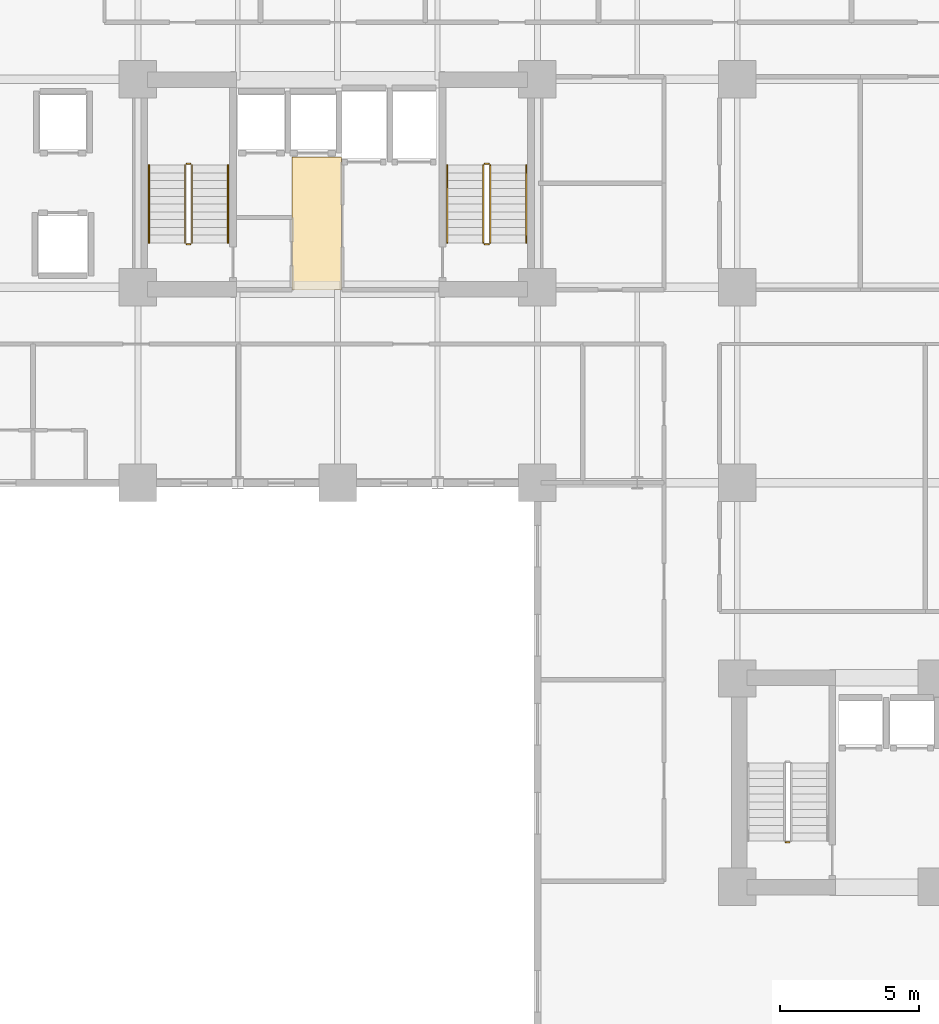
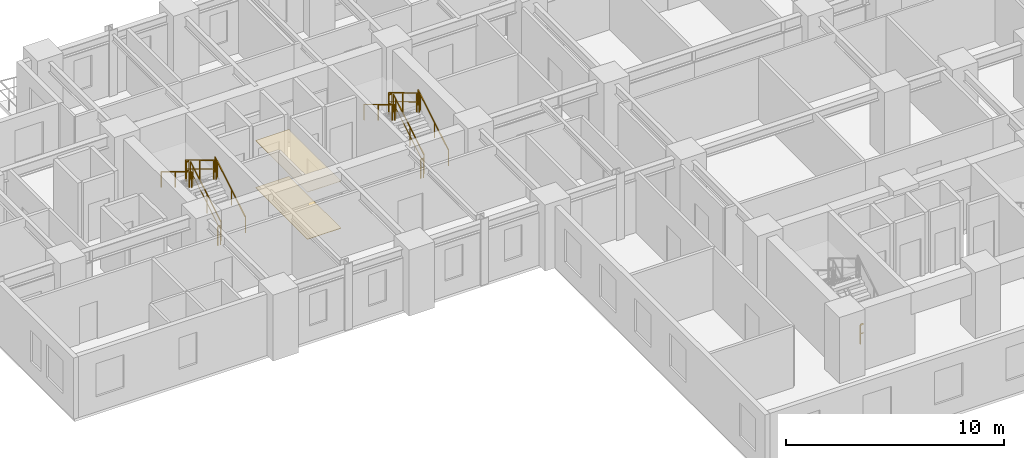
# One storey, part 9 of 11: 13 railings, 2 coverings.
"""IFC4 building model written with IfcOpenShell, lengths in metres."""

from ifc_helpers import new_model, si_unit, direction, frame, origin, origin_2d, place, context, subcontext, project, spatial, rectangle, extrude, source, transform, mapped, material, layer, layer_set, type_object, element, save


model = new_model("IFC4")

# Units and contexts
model_context = context("Model", 3, precision=1e-05, world=origin(), true_north=direction((0.0, 1.0)))
body_context = subcontext(model_context, "Body", "Model", "MODEL_VIEW")
ifc_project = project(units=[si_unit("LENGTHUNIT", "METRE"), si_unit("AREAUNIT", "SQUARE_METRE"), si_unit("VOLUMEUNIT", "CUBIC_METRE"), si_unit("PLANEANGLEUNIT", "RADIAN"), si_unit("MASSUNIT", "GRAM", prefix="KILO")], contexts=[model_context])

# Site, building, storey
site_placement = place(None, origin())
site = spatial("IfcSite", under=ifc_project, at=site_placement, CompositionType="ELEMENT")
building_placement = place(site_placement, origin())
building = spatial("IfcBuilding", under=site, at=building_placement, Name="Kaliganga Portal Commons", CompositionType="ELEMENT")
storey_placement = place(building_placement, frame((0.0, 0.0, 54.89990234375)))
storey = spatial("IfcBuildingStorey", under=building, at=storey_placement, Name="L13", CompositionType="ELEMENT", Elevation=54.89990234375)

# Railings
ifc_material_1 = material(Name="Galvanized Painted Steel Balustrade", Category="steel")
railing_type_1 = type_object("IfcRailingType", Name="RLG-STAIR-GRD", PredefinedType="GUARDRAIL", material=ifc_material_1)
railing_1_placement = place(storey_placement, frame((16.35009765625, 30.25, 0.168212890625)))
element("IfcRailing", 1, at=railing_1_placement, inside=storey, type_object=railing_type_1, Name="L13 ST-A1 stair guard 1", PredefinedType="GUARDRAIL", context=body_context, shape_type="SweptSolid", body=[
    extrude(rectangle(XDim=0.048095703125, YDim=0.048095703125, at=origin_2d()), frame((0.0, 0.0, 1.072021484375), z_axis=(0.0, 0.857242210791, 0.514913383045), x_axis=(-1.0, 0.0, 0.0)), (0.0, 0.0, 1.0), 3.266357421875),
    extrude(rectangle(XDim=0.028076171875, YDim=0.028076171875, at=origin_2d()), frame((0.0, 0.0, 0.572021484375), z_axis=(0.0, 0.857242210791, 0.514913383045), x_axis=(-1.0, 0.0, 0.0)), (0.0, 0.0, 1.0), 3.266357421875),
    extrude(rectangle(XDim=0.0419921875, YDim=0.0419921875, at=origin_2d()), origin(), (0.0, 0.0, 1.0), 1.052001953125),
    extrude(rectangle(XDim=0.0419921875, YDim=0.0419921875, at=origin_2d()), frame((0.0, 1.285888671875, 0.7724609375)), (0.0, 0.0, 1.0), 1.052001953125),
    extrude(rectangle(XDim=0.0419921875, YDim=0.0419921875, at=origin_2d()), frame((0.0, 2.57177734375, 1.544677734375)), (0.0, 0.0, 1.0), 1.052001953125),
    extrude(rectangle(XDim=0.0419921875, YDim=0.0419921875, at=origin_2d()), frame((0.0, 2.800048828125, 1.681884765625)), (0.0, 0.0, 1.0), 1.052001953125),
])
railing_2_placement = place(storey_placement, frame((16.300048828125, 33.10009765625, 1.85009765625)))
element("IfcRailing", 2, at=railing_2_placement, inside=storey, type_object=railing_type_1, Name="L13 ST-A1 stair guard 2", PredefinedType="GUARDRAIL", context=body_context, shape_type="SweptSolid", body=[
    extrude(rectangle(XDim=0.048095703125, YDim=0.048095703125, at=origin_2d()), frame((0.0, 0.0, 1.076171875), z_axis=(-1.0, 0.0, 0.0), x_axis=(0.0, -1.0, 0.0)), (0.0, 0.0, 1.0), 0.150146484375),
    extrude(rectangle(XDim=0.028076171875, YDim=0.028076171875, at=origin_2d()), frame((0.0, 0.0, 0.572021484375), z_axis=(-1.0, 0.0, 0.0), x_axis=(0.0, -1.0, 0.0)), (0.0, 0.0, 1.0), 0.150146484375),
    extrude(rectangle(XDim=0.0419921875, YDim=0.0419921875, at=origin_2d()), origin(), (0.0, 0.0, 1.0), 1.052001953125),
    extrude(rectangle(XDim=0.0419921875, YDim=0.0419921875, at=origin_2d()), frame((-0.150146484375, 0.0, 0.0)), (0.0, 0.0, 1.0), 1.052001953125),
])
railing_3_placement = place(storey_placement, frame((16.10009765625, 33.050048828125, 2.018310546875)))
element("IfcRailing", 3, at=railing_3_placement, inside=storey, type_object=railing_type_1, Name="L13 ST-A1 stair guard 3", PredefinedType="GUARDRAIL", context=body_context, shape_type="SweptSolid", body=[
    extrude(rectangle(XDim=0.048095703125, YDim=0.048095703125, at=origin_2d()), frame((0.0, 0.0, 1.072021484375), z_axis=(0.0, -0.857242210791, 0.514913383045), x_axis=(1.0, 0.0, 0.0)), (0.0, 0.0, 1.0), 3.266357421875),
    extrude(rectangle(XDim=0.028076171875, YDim=0.028076171875, at=origin_2d()), frame((0.0, 0.0, 0.572021484375), z_axis=(0.0, -0.857242210791, 0.514913383045), x_axis=(1.0, 0.0, 0.0)), (0.0, 0.0, 1.0), 3.266357421875),
    extrude(rectangle(XDim=0.0419921875, YDim=0.0419921875, at=origin_2d()), origin(), (0.0, 0.0, 1.0), 1.052001953125),
    extrude(rectangle(XDim=0.0419921875, YDim=0.0419921875, at=origin_2d()), frame((0.0, -1.285888671875, 0.7724609375)), (0.0, 0.0, 1.0), 1.052001953125),
    extrude(rectangle(XDim=0.0419921875, YDim=0.0419921875, at=origin_2d()), frame((0.0, -2.57177734375, 1.544677734375)), (0.0, 0.0, 1.0), 1.052001953125),
    extrude(rectangle(XDim=0.0419921875, YDim=0.0419921875, at=origin_2d()), frame((0.0, -2.800048828125, 1.681884765625)), (0.0, 0.0, 1.0), 1.052001953125),
])
railing_4_placement = place(storey_placement, frame((16.300048828125, 30.199951171875, 0.0)))
element("IfcRailing", 4, at=railing_4_placement, inside=storey, type_object=railing_type_1, Name="L13 ST-A1 stair guard 4", PredefinedType="GUARDRAIL", context=body_context, shape_type="SweptSolid", body=[
    extrude(rectangle(XDim=0.048095703125, YDim=0.048095703125, at=origin_2d()), frame((0.0, 0.0, 1.076171875), z_axis=(-1.0, 0.0, 0.0), x_axis=(0.0, -1.0, 0.0)), (0.0, 0.0, 1.0), 0.150146484375),
    extrude(rectangle(XDim=0.028076171875, YDim=0.028076171875, at=origin_2d()), frame((0.0, 0.0, 0.572021484375), z_axis=(-1.0, 0.0, 0.0), x_axis=(0.0, -1.0, 0.0)), (0.0, 0.0, 1.0), 0.150146484375),
    extrude(rectangle(XDim=0.0419921875, YDim=0.0419921875, at=origin_2d()), origin(), (0.0, 0.0, 1.0), 1.052001953125),
    extrude(rectangle(XDim=0.0419921875, YDim=0.0419921875, at=origin_2d()), frame((-0.150146484375, 0.0, 0.0)), (0.0, 0.0, 1.0), 1.052001953125),
])
railing_5_placement = place(storey_placement, frame((27.10009765625, 30.25, 0.168212890625)))
element("IfcRailing", 5, at=railing_5_placement, inside=storey, type_object=railing_type_1, Name="L13 ST-A2 stair guard 1", PredefinedType="GUARDRAIL", context=body_context, shape_type="SweptSolid", body=[
    extrude(rectangle(XDim=0.048095703125, YDim=0.048095703125, at=origin_2d()), frame((0.0, 0.0, 1.072021484375), z_axis=(0.0, 0.857242210791, 0.514913383045), x_axis=(-1.0, 0.0, 0.0)), (0.0, 0.0, 1.0), 3.266357421875),
    extrude(rectangle(XDim=0.028076171875, YDim=0.028076171875, at=origin_2d()), frame((0.0, 0.0, 0.572021484375), z_axis=(0.0, 0.857242210791, 0.514913383045), x_axis=(-1.0, 0.0, 0.0)), (0.0, 0.0, 1.0), 3.266357421875),
    extrude(rectangle(XDim=0.0419921875, YDim=0.0419921875, at=origin_2d()), origin(), (0.0, 0.0, 1.0), 1.052001953125),
    extrude(rectangle(XDim=0.0419921875, YDim=0.0419921875, at=origin_2d()), frame((0.0, 1.285888671875, 0.7724609375)), (0.0, 0.0, 1.0), 1.052001953125),
    extrude(rectangle(XDim=0.0419921875, YDim=0.0419921875, at=origin_2d()), frame((0.0, 2.57177734375, 1.544677734375)), (0.0, 0.0, 1.0), 1.052001953125),
    extrude(rectangle(XDim=0.0419921875, YDim=0.0419921875, at=origin_2d()), frame((0.0, 2.800048828125, 1.681884765625)), (0.0, 0.0, 1.0), 1.052001953125),
])
railing_6_placement = place(storey_placement, frame((27.050048828125, 33.10009765625, 1.85009765625)))
element("IfcRailing", 6, at=railing_6_placement, inside=storey, type_object=railing_type_1, Name="L13 ST-A2 stair guard 2", PredefinedType="GUARDRAIL", context=body_context, shape_type="SweptSolid", body=[
    extrude(rectangle(XDim=0.048095703125, YDim=0.048095703125, at=origin_2d()), frame((0.0, 0.0, 1.076171875), z_axis=(-1.0, 0.0, 0.0), x_axis=(0.0, -1.0, 0.0)), (0.0, 0.0, 1.0), 0.150146484375),
    extrude(rectangle(XDim=0.028076171875, YDim=0.028076171875, at=origin_2d()), frame((0.0, 0.0, 0.572021484375), z_axis=(-1.0, 0.0, 0.0), x_axis=(0.0, -1.0, 0.0)), (0.0, 0.0, 1.0), 0.150146484375),
    extrude(rectangle(XDim=0.0419921875, YDim=0.0419921875, at=origin_2d()), origin(), (0.0, 0.0, 1.0), 1.052001953125),
    extrude(rectangle(XDim=0.0419921875, YDim=0.0419921875, at=origin_2d()), frame((-0.150146484375, 0.0, 0.0)), (0.0, 0.0, 1.0), 1.052001953125),
])
railing_7_placement = place(storey_placement, frame((26.85009765625, 33.050048828125, 2.018310546875)))
element("IfcRailing", 7, at=railing_7_placement, inside=storey, type_object=railing_type_1, Name="L13 ST-A2 stair guard 3", PredefinedType="GUARDRAIL", context=body_context, shape_type="SweptSolid", body=[
    extrude(rectangle(XDim=0.048095703125, YDim=0.048095703125, at=origin_2d()), frame((0.0, 0.0, 1.072021484375), z_axis=(0.0, -0.857242210791, 0.514913383045), x_axis=(1.0, 0.0, 0.0)), (0.0, 0.0, 1.0), 3.266357421875),
    extrude(rectangle(XDim=0.028076171875, YDim=0.028076171875, at=origin_2d()), frame((0.0, 0.0, 0.572021484375), z_axis=(0.0, -0.857242210791, 0.514913383045), x_axis=(1.0, 0.0, 0.0)), (0.0, 0.0, 1.0), 3.266357421875),
    extrude(rectangle(XDim=0.0419921875, YDim=0.0419921875, at=origin_2d()), origin(), (0.0, 0.0, 1.0), 1.052001953125),
    extrude(rectangle(XDim=0.0419921875, YDim=0.0419921875, at=origin_2d()), frame((0.0, -1.285888671875, 0.7724609375)), (0.0, 0.0, 1.0), 1.052001953125),
    extrude(rectangle(XDim=0.0419921875, YDim=0.0419921875, at=origin_2d()), frame((0.0, -2.57177734375, 1.544677734375)), (0.0, 0.0, 1.0), 1.052001953125),
    extrude(rectangle(XDim=0.0419921875, YDim=0.0419921875, at=origin_2d()), frame((0.0, -2.800048828125, 1.681884765625)), (0.0, 0.0, 1.0), 1.052001953125),
])
railing_8_placement = place(storey_placement, frame((27.050048828125, 30.199951171875, 0.0)))
element("IfcRailing", 8, at=railing_8_placement, inside=storey, type_object=railing_type_1, Name="L13 ST-A2 stair guard 4", PredefinedType="GUARDRAIL", context=body_context, shape_type="SweptSolid", body=[
    extrude(rectangle(XDim=0.048095703125, YDim=0.048095703125, at=origin_2d()), frame((0.0, 0.0, 1.076171875), z_axis=(-1.0, 0.0, 0.0), x_axis=(0.0, -1.0, 0.0)), (0.0, 0.0, 1.0), 0.150146484375),
    extrude(rectangle(XDim=0.028076171875, YDim=0.028076171875, at=origin_2d()), frame((0.0, 0.0, 0.572021484375), z_axis=(-1.0, 0.0, 0.0), x_axis=(0.0, -1.0, 0.0)), (0.0, 0.0, 1.0), 0.150146484375),
    extrude(rectangle(XDim=0.0419921875, YDim=0.0419921875, at=origin_2d()), origin(), (0.0, 0.0, 1.0), 1.052001953125),
    extrude(rectangle(XDim=0.0419921875, YDim=0.0419921875, at=origin_2d()), frame((-0.150146484375, 0.0, 0.0)), (0.0, 0.0, 1.0), 1.052001953125),
])
railing_9_placement = place(storey_placement, frame((37.89990234375, 8.64990234375, 0.0)))
element("IfcRailing", 9, at=railing_9_placement, inside=storey, type_object=railing_type_1, Name="L13 ST-B1 stair guard 4", PredefinedType="GUARDRAIL", context=body_context, shape_type="SweptSolid", body=[
    extrude(rectangle(XDim=0.048095703125, YDim=0.048095703125, at=origin_2d()), frame((0.0, 0.0, 1.076171875), z_axis=(-1.0, 0.0, 0.0), x_axis=(0.0, -1.0, 0.0)), (0.0, 0.0, 1.0), 0.14990234375),
    extrude(rectangle(XDim=0.028076171875, YDim=0.028076171875, at=origin_2d()), frame((0.0, 0.0, 0.572021484375), z_axis=(-1.0, 0.0, 0.0), x_axis=(0.0, -1.0, 0.0)), (0.0, 0.0, 1.0), 0.14990234375),
    extrude(rectangle(XDim=0.0419921875, YDim=0.0419921875, at=origin_2d()), frame((-0.14990234375, 0.0, 0.0)), (0.0, 0.0, 1.0), 1.052001953125),
])
ifc_material_2 = material(Name="Brushed Stainless Steel 316", Category="steel")
railing_type_2 = type_object("IfcRailingType", Name="RLG-STAIR-HR", PredefinedType="HANDRAIL", material=ifc_material_2)
railing_10_placement = place(storey_placement, frame((17.64990234375, 30.25, 0.168212890625)))
element("IfcRailing", 10, at=railing_10_placement, inside=storey, type_object=railing_type_2, Name="L13 ST-A1 stair handrail 1", PredefinedType="HANDRAIL", context=body_context, shape_type="SweptSolid", body=[
    extrude(rectangle(XDim=0.048095703125, YDim=0.048095703125, at=origin_2d()), frame((0.0, 0.0, 0.871826171875), z_axis=(0.0, 0.857242210791, 0.514913383045), x_axis=(-1.0, 0.0, 0.0)), (0.0, 0.0, 1.0), 3.266357421875),
    extrude(rectangle(XDim=0.0419921875, YDim=0.0419921875, at=origin_2d()), origin(), (0.0, 0.0, 1.0), 0.851806640625),
    extrude(rectangle(XDim=0.0419921875, YDim=0.0419921875, at=origin_2d()), frame((0.0, 1.285888671875, 0.7724609375)), (0.0, 0.0, 1.0), 0.851806640625),
    extrude(rectangle(XDim=0.0419921875, YDim=0.0419921875, at=origin_2d()), frame((0.0, 2.57177734375, 1.544677734375)), (0.0, 0.0, 1.0), 0.851806640625),
    extrude(rectangle(XDim=0.0419921875, YDim=0.0419921875, at=origin_2d()), frame((0.0, 2.800048828125, 1.681884765625)), (0.0, 0.0, 1.0), 0.851806640625),
])
railing_11_placement = place(storey_placement, frame((14.800048828125, 33.050048828125, 2.018310546875)))
element("IfcRailing", 11, at=railing_11_placement, inside=storey, type_object=railing_type_2, Name="L13 ST-A1 stair handrail 2", PredefinedType="HANDRAIL", context=body_context, shape_type="SweptSolid", body=[
    extrude(rectangle(XDim=0.048095703125, YDim=0.048095703125, at=origin_2d()), frame((0.0, 0.0, 0.871826171875), z_axis=(0.0, -0.857242210791, 0.514913383045), x_axis=(1.0, 0.0, 0.0)), (0.0, 0.0, 1.0), 3.266357421875),
    extrude(rectangle(XDim=0.0419921875, YDim=0.0419921875, at=origin_2d()), origin(), (0.0, 0.0, 1.0), 0.851806640625),
    extrude(rectangle(XDim=0.0419921875, YDim=0.0419921875, at=origin_2d()), frame((0.0, -1.285888671875, 0.7724609375)), (0.0, 0.0, 1.0), 0.851806640625),
    extrude(rectangle(XDim=0.0419921875, YDim=0.0419921875, at=origin_2d()), frame((0.0, -2.57177734375, 1.544677734375)), (0.0, 0.0, 1.0), 0.851806640625),
    extrude(rectangle(XDim=0.0419921875, YDim=0.0419921875, at=origin_2d()), frame((0.0, -2.800048828125, 1.681884765625)), (0.0, 0.0, 1.0), 0.851806640625),
])
railing_12_placement = place(storey_placement, frame((28.39990234375, 30.25, 0.168212890625)))
element("IfcRailing", 12, at=railing_12_placement, inside=storey, type_object=railing_type_2, Name="L13 ST-A2 stair handrail 1", PredefinedType="HANDRAIL", context=body_context, shape_type="SweptSolid", body=[
    extrude(rectangle(XDim=0.048095703125, YDim=0.048095703125, at=origin_2d()), frame((0.0, 0.0, 0.871826171875), z_axis=(0.0, 0.857242210791, 0.514913383045), x_axis=(-1.0, 0.0, 0.0)), (0.0, 0.0, 1.0), 3.266357421875),
    extrude(rectangle(XDim=0.0419921875, YDim=0.0419921875, at=origin_2d()), origin(), (0.0, 0.0, 1.0), 0.851806640625),
    extrude(rectangle(XDim=0.0419921875, YDim=0.0419921875, at=origin_2d()), frame((0.0, 1.285888671875, 0.7724609375)), (0.0, 0.0, 1.0), 0.851806640625),
    extrude(rectangle(XDim=0.0419921875, YDim=0.0419921875, at=origin_2d()), frame((0.0, 2.57177734375, 1.544677734375)), (0.0, 0.0, 1.0), 0.851806640625),
    extrude(rectangle(XDim=0.0419921875, YDim=0.0419921875, at=origin_2d()), frame((0.0, 2.800048828125, 1.681884765625)), (0.0, 0.0, 1.0), 0.851806640625),
])
railing_13_placement = place(storey_placement, frame((25.550048828125, 33.050048828125, 2.018310546875)))
element("IfcRailing", 13, at=railing_13_placement, inside=storey, type_object=railing_type_2, Name="L13 ST-A2 stair handrail 2", PredefinedType="HANDRAIL", context=body_context, shape_type="SweptSolid", body=[
    extrude(rectangle(XDim=0.048095703125, YDim=0.048095703125, at=origin_2d()), frame((0.0, 0.0, 0.871826171875), z_axis=(0.0, -0.857242210791, 0.514913383045), x_axis=(1.0, 0.0, 0.0)), (0.0, 0.0, 1.0), 3.266357421875),
    extrude(rectangle(XDim=0.0419921875, YDim=0.0419921875, at=origin_2d()), origin(), (0.0, 0.0, 1.0), 0.851806640625),
    extrude(rectangle(XDim=0.0419921875, YDim=0.0419921875, at=origin_2d()), frame((0.0, -1.285888671875, 0.7724609375)), (0.0, 0.0, 1.0), 0.851806640625),
    extrude(rectangle(XDim=0.0419921875, YDim=0.0419921875, at=origin_2d()), frame((0.0, -2.57177734375, 1.544677734375)), (0.0, 0.0, 1.0), 0.851806640625),
    extrude(rectangle(XDim=0.0419921875, YDim=0.0419921875, at=origin_2d()), frame((0.0, -2.800048828125, 1.681884765625)), (0.0, 0.0, 1.0), 0.851806640625),
])

# Coverings
ifc_material_3 = material(Name="Acoustic Micro-Perforated Gypsum Ceiling", Category="gypsum")
ifc_layer_1 = layer(ifc_material_3, 0.02001953125)
ifc_layer_set_1 = layer_set([ifc_layer_1], Name="Acoustic Micro-Perforated Gypsum Ceiling")
covering_type_1 = type_object("IfcCoveringType", Name="COV-CEIL-GYP", PredefinedType="CEILING", material=ifc_layer_set_1)
shared_shape_1 = source(origin(), body_context, "Body", "SweptSolid", [
    extrude(rectangle(XDim=1.780029296875, YDim=4.780029296875, at=origin_2d()), origin(), (0.0, 0.0, 1.0), 0.02001953125),
])
covering_1_placement = place(storey_placement, frame((20.85009765625, 30.949951171875, 2.64013671875), z_axis=(0.0, 0.0, 1.0), x_axis=(1.0, 0.0, 0.0)))
element("IfcCovering", 14, at=covering_1_placement, inside=storey, type_object=covering_type_1, Name="Acoustic Ceiling L13 PLOB_A", PredefinedType="CEILING", context=body_context, shape_type="MappedRepresentation", body=[
    mapped(shared_shape_1, transform((0.0, 0.0, 0.0), x_axis=(1.0, 0.0, 0.0), y_axis=(0.0, 1.0, 0.0), z_axis=(0.0, 0.0, 1.0), scale=1.0)),
])
ifc_material_4 = material(Name="Polished Sylhet Stone Terrazzo Flooring", Category="masonry")
ifc_layer_2 = layer(ifc_material_4, 0.02490234375)
ifc_layer_set_2 = layer_set([ifc_layer_2], Name="Polished Sylhet Stone Terrazzo Flooring")
covering_type_2 = type_object("IfcCoveringType", Name="COV-FLR-TERRAZZO", PredefinedType="FLOORING", material=ifc_layer_set_2)
shared_shape_2 = source(origin(), body_context, "Body", "SweptSolid", [
    extrude(rectangle(XDim=1.780029296875, YDim=4.780029296875, at=origin_2d()), origin(), (0.0, 0.0, 1.0), 0.02490234375),
])
covering_2_placement = place(storey_placement, frame((20.85009765625, 30.949951171875, 0.000732421875), z_axis=(0.0, 0.0, 1.0), x_axis=(1.0, 0.0, 0.0)))
element("IfcCovering", 15, at=covering_2_placement, inside=storey, type_object=covering_type_2, Name="Terrazzo Flooring L13 PLOB_A", PredefinedType="FLOORING", context=body_context, shape_type="MappedRepresentation", body=[
    mapped(shared_shape_2, transform((0.0, 0.0, 0.0), x_axis=(1.0, 0.0, 0.0), y_axis=(0.0, 1.0, 0.0), z_axis=(0.0, 0.0, 1.0), scale=1.0)),
])

save(model, "model.ifc")
